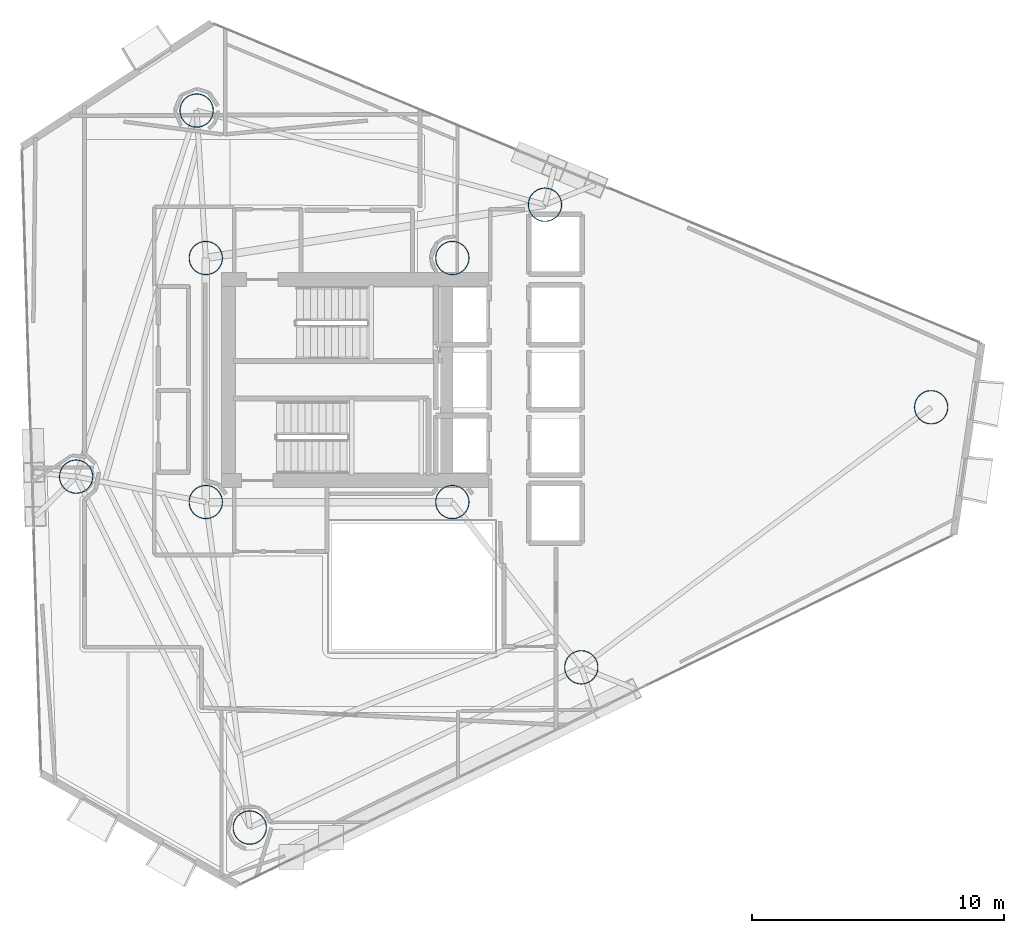
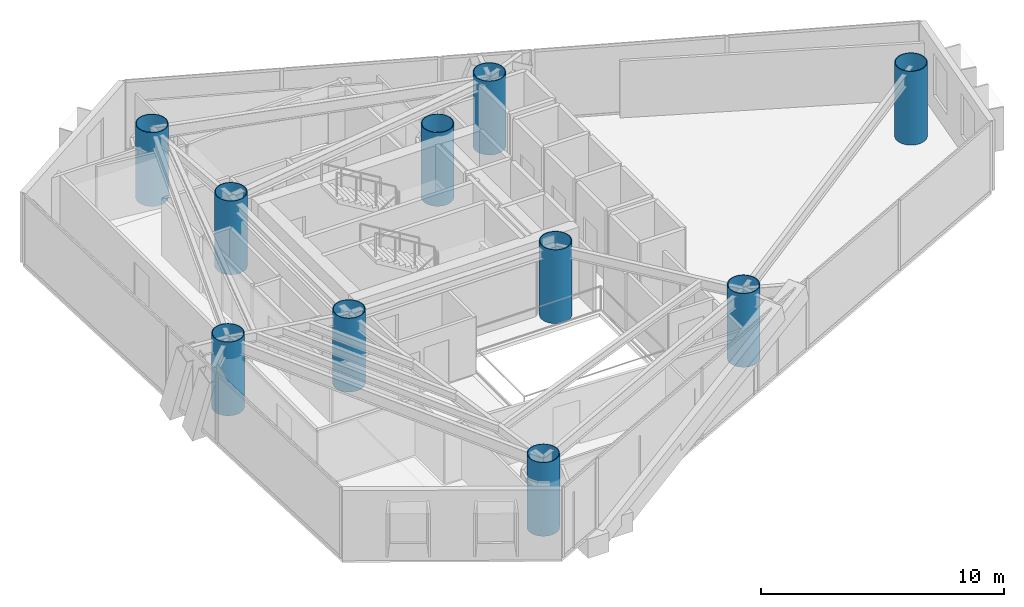
# One storey, part 1 of 22: 10 columns.
"""IFC4 building model written with IfcOpenShell, lengths in metres."""

from ifc_helpers import new_model, si_unit, direction, frame, origin, origin_2d, place, context, subcontext, project, spatial, hollow_circle, extrude, material, material_profile, profile_set, type_object, element, save


model = new_model("IFC4")

# Units and contexts
model_context = context("Model", 3, precision=1e-05, world=origin(), true_north=direction((0.0, 1.0)))
body_context = subcontext(model_context, "Body", "Model", "MODEL_VIEW")
ifc_project = project(units=[si_unit("LENGTHUNIT", "METRE"), si_unit("AREAUNIT", "SQUARE_METRE"), si_unit("VOLUMEUNIT", "CUBIC_METRE"), si_unit("PLANEANGLEUNIT", "RADIAN"), si_unit("MASSUNIT", "GRAM", prefix="KILO")], contexts=[model_context])

# Site, building, storey
site_placement = place(None, origin())
site = spatial("IfcSite", under=ifc_project, at=site_placement, CompositionType="ELEMENT")
building_placement = place(site_placement, origin())
building = spatial("IfcBuilding", under=site, at=building_placement, Name="Qianvela Tower", CompositionType="ELEMENT")
storey_placement = place(building_placement, frame((0.0, 0.0, 155.0)))
storey = spatial("IfcBuildingStorey", under=building, at=storey_placement, Name="L39", CompositionType="ELEMENT", Elevation=155.0)

# Columns
ifc_material = material(Name="Steel Q420GJC", Category="steel")
ifc_material_profile = material_profile(ifc_material, hollow_circle(Radius=0.675048828125, WallThickness=0.031982421875, at=origin_2d()), Name="CFT-1350x32")
ifc_profile_set = profile_set([ifc_material_profile], Name="Steel Q420GJC")
column_type = type_object("IfcColumnType", Name="COL-CFT-1350x32", PredefinedType="COLUMN", material=ifc_profile_set)
for number, where, z_axis, x_axis, name in (
    (1, (28.60009765625, 33.550048828125, 0.0), (0.0, 0.0, 1.0), (1.0, 0.0, 0.0), "L39 Core Corner Mega-Column CC-NW"),
    (2, (28.60009765625, 23.85009765625, 0.0), (0.0, 0.0, 1.0), (1.0, 0.0, 0.0), "L39 Core Corner Mega-Column CC-SW"),
    (3, (38.39990234375, 33.550048828125, 0.0), (0.0, 0.0, 1.0), (1.0, 0.0, 0.0), "L39 Core Corner Mega-Column CC-NE"),
    (4, (38.39990234375, 23.85009765625, 0.0), (0.0, 0.0, 1.0), (1.0, 0.0, 0.0), "L39 Core Corner Mega-Column CC-SE"),
    (5, (57.43408203125, 27.617919921875, 0.0), (0.0, 0.0, 1.0), (1.0, 0.0, 0.0), "L39 Zone Z4 CFT Mega-Column C1"),
    (6, (42.0830078125, 35.6689453125, 0.0), (0.0, 0.0, 1.0), (1.0, 0.0, 0.0), "L39 Zone Z4 CFT Mega-Column C2"),
    (7, (28.235107421875, 39.410888671875, 0.0), (0.0, 0.0, 1.0), (1.0, 0.0, 0.0), "L39 Zone Z4 CFT Mega-Column C3"),
    (8, (23.446044921875, 24.85888671875, 0.0), (0.0, 0.0, 1.0), (1.0, 0.0, 0.0), "L39 Zone Z4 CFT Mega-Column C4"),
    (9, (30.346923828125, 10.908935546875, 0.0), (0.0, 0.0, 1.0), (1.0, 0.0, 0.0), "L39 Zone Z4 CFT Mega-Column C5"),
    (10, (43.52490234375, 17.279052734375, 0.0), (0.0, 0.0, 1.0), (1.0, 0.0, 0.0), "L39 Zone Z4 CFT Mega-Column C6"),
):
    element("IfcColumn", number, at=place(storey_placement, frame(where, z_axis=z_axis, x_axis=x_axis)), inside=storey, type_object=column_type, Name=name, PredefinedType="COLUMN", context=body_context, shape_type="SweptSolid", body=[
        extrude(hollow_circle(Radius=0.675048828125, WallThickness=0.031982421875, at=origin_2d()), origin(), (0.0, 0.0, 1.0), 3.699951171875),
    ])

save(model, "model.ifc")
